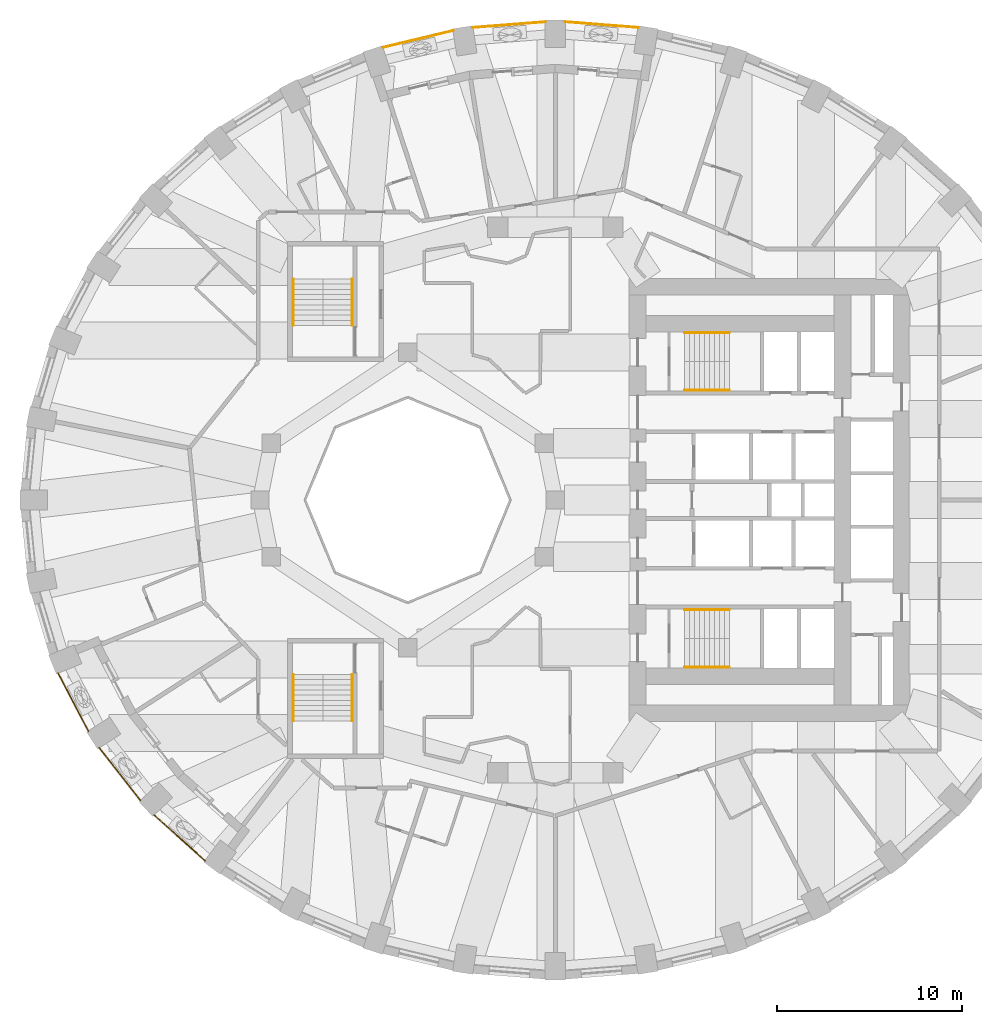
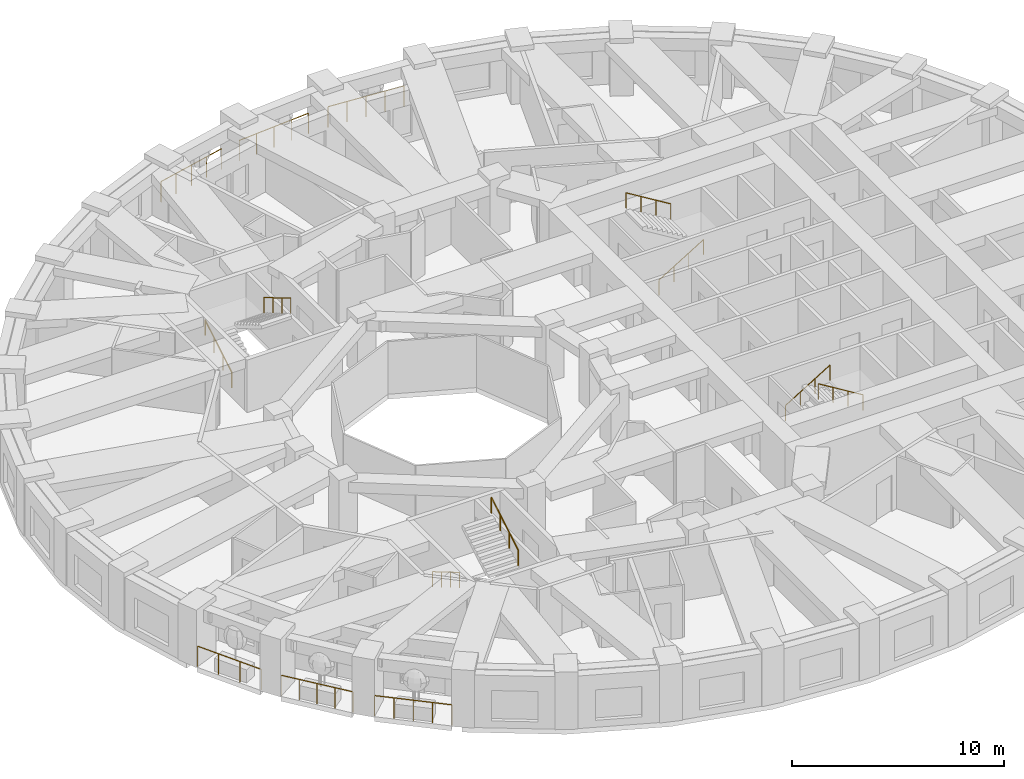
# One storey, part 11 of 13: 14 railings.
"""IFC4 building model written with IfcOpenShell, lengths in metres."""

from ifc_helpers import new_model, si_unit, direction, frame, origin, origin_2d, place, context, subcontext, project, spatial, circle, extrude, material, type_object, element, save


model = new_model("IFC4")

# Units and contexts
model_context = context("Model", 3, precision=1e-05, world=origin(), true_north=direction((0.0, 1.0)))
body_context = subcontext(model_context, "Body", "Model", "MODEL_VIEW")
ifc_project = project(units=[si_unit("LENGTHUNIT", "METRE"), si_unit("AREAUNIT", "SQUARE_METRE"), si_unit("VOLUMEUNIT", "CUBIC_METRE"), si_unit("PLANEANGLEUNIT", "RADIAN"), si_unit("MASSUNIT", "GRAM", prefix="KILO")], contexts=[model_context])

# Site, building, storey
site_placement = place(None, origin())
site = spatial("IfcSite", under=ifc_project, at=site_placement, CompositionType="ELEMENT")
building_placement = place(site_placement, origin())
building = spatial("IfcBuilding", under=site, at=building_placement, Name="Taillehof Tower", CompositionType="ELEMENT")
storey_placement = place(building_placement, frame((0.0, 0.0, 51.39990234375)))
storey = spatial("IfcBuildingStorey", under=building, at=storey_placement, Name="L13", CompositionType="ELEMENT", Elevation=51.39990234375)

# Railings
ifc_material_1 = material(Name="Stainless steel balustrade", Category="steel")
railing_type_1 = type_object("IfcRailingType", Name="Balcony guard 1200", PredefinedType="GUARDRAIL", material=ifc_material_1)
railing_1_placement = place(storey_placement, frame((4.483154296875, 25.589111328125, 0.0)))
element("IfcRailing", 1, at=railing_1_placement, inside=storey, type_object=railing_type_1, Name="Balcony guard L13 bay 9", PredefinedType="GUARDRAIL", context=body_context, shape_type="SweptSolid", body=[
    extrude(circle(Radius=0.02392578125, at=origin_2d()), frame((0.0, 0.0, 1.17578125), z_axis=(-0.996952571778, 0.078010061045, 0.0), x_axis=(-0.078010061045, -0.996952571778, 0.0)), (0.0, 0.0, 1.0), 3.965087890625),
    extrude(circle(Radius=0.02099609375, at=origin_2d()), origin(), (0.0, 0.0, 1.0), 1.15185546875),
    extrude(circle(Radius=0.02099609375, at=origin_2d()), frame((-0.98828125, 0.077392578125, 0.0)), (0.0, 0.0, 1.0), 1.15185546875),
    extrude(circle(Radius=0.02099609375, at=origin_2d()), frame((-1.9765625, 0.15478515625, 0.0)), (0.0, 0.0, 1.0), 1.15185546875),
    extrude(circle(Radius=0.02099609375, at=origin_2d()), frame((-2.96484375, 0.23193359375, 0.0)), (0.0, 0.0, 1.0), 1.15185546875),
    extrude(circle(Radius=0.02099609375, at=origin_2d()), frame((-3.953125, 0.309326171875, 0.0)), (0.0, 0.0, 1.0), 1.15185546875),
])
railing_2_placement = place(storey_placement, frame((-0.530029296875, 25.8984375, 0.0)))
element("IfcRailing", 2, at=railing_2_placement, inside=storey, type_object=railing_type_1, Name="Balcony guard L13 bay 10", PredefinedType="GUARDRAIL", context=body_context, shape_type="SweptSolid", body=[
    extrude(circle(Radius=0.02392578125, at=origin_2d()), frame((0.0, 0.0, 1.17578125), z_axis=(-0.996952571778, -0.078010061045, 0.0), x_axis=(0.078010061045, -0.996952571778, 0.0)), (0.0, 0.0, 1.0), 3.965087890625),
    extrude(circle(Radius=0.02099609375, at=origin_2d()), origin(), (0.0, 0.0, 1.0), 1.15185546875),
    extrude(circle(Radius=0.02099609375, at=origin_2d()), frame((-0.98828125, -0.077392578125, 0.0)), (0.0, 0.0, 1.0), 1.15185546875),
    extrude(circle(Radius=0.02099609375, at=origin_2d()), frame((-1.9765625, -0.15478515625, 0.0)), (0.0, 0.0, 1.0), 1.15185546875),
    extrude(circle(Radius=0.02099609375, at=origin_2d()), frame((-2.96484375, -0.23193359375, 0.0)), (0.0, 0.0, 1.0), 1.15185546875),
    extrude(circle(Radius=0.02099609375, at=origin_2d()), frame((-3.953125, -0.309326171875, 0.0)), (0.0, 0.0, 1.0), 1.15185546875),
])
railing_3_placement = place(storey_placement, frame((-5.5302734375, 25.423828125, 0.0)))
element("IfcRailing", 3, at=railing_3_placement, inside=storey, type_object=railing_type_1, Name="Balcony guard L13 bay 11", PredefinedType="GUARDRAIL", context=body_context, shape_type="SweptSolid", body=[
    extrude(circle(Radius=0.02392578125, at=origin_2d()), frame((0.0, 0.0, 1.17578125), z_axis=(-0.972495275648, -0.232922602687, 0.0), x_axis=(0.232922602687, -0.972495275648, 0.0)), (0.0, 0.0, 1.0), 3.93701171875),
    extrude(circle(Radius=0.02099609375, at=origin_2d()), origin(), (0.0, 0.0, 1.0), 1.15185546875),
    extrude(circle(Radius=0.02099609375, at=origin_2d()), frame((-0.95703125, -0.229248046875, 0.0)), (0.0, 0.0, 1.0), 1.15185546875),
    extrude(circle(Radius=0.02099609375, at=origin_2d()), frame((-1.914306640625, -0.45849609375, 0.0)), (0.0, 0.0, 1.0), 1.15185546875),
    extrude(circle(Radius=0.02099609375, at=origin_2d()), frame((-2.87158203125, -0.687744140625, 0.0)), (0.0, 0.0, 1.0), 1.15185546875),
    extrude(circle(Radius=0.02099609375, at=origin_2d()), frame((-3.82861328125, -0.9169921875, 0.0)), (0.0, 0.0, 1.0), 1.15185546875),
])
railing_4_placement = place(storey_placement, frame((-26.939208984375, -9.36767578125, 0.0)))
element("IfcRailing", 4, at=railing_4_placement, inside=storey, type_object=railing_type_1, Name="Balcony guard L13 bay 21", PredefinedType="GUARDRAIL", context=body_context, shape_type="SweptSolid", body=[
    extrude(circle(Radius=0.02392578125, at=origin_2d()), frame((0.0, 0.0, 1.17578125), z_axis=(0.462523854419, -0.886606837382, 0.0), x_axis=(0.886606837382, 0.462523854419, 0.0)), (0.0, 0.0, 1.0), 3.56298828125),
    extrude(circle(Radius=0.02099609375, at=origin_2d()), origin(), (0.0, 0.0, 1.0), 1.15185546875),
    extrude(circle(Radius=0.02099609375, at=origin_2d()), frame((0.54931640625, -1.052978515625, 0.0)), (0.0, 0.0, 1.0), 1.15185546875),
    extrude(circle(Radius=0.02099609375, at=origin_2d()), frame((1.0986328125, -2.10595703125, 0.0)), (0.0, 0.0, 1.0), 1.15185546875),
    extrude(circle(Radius=0.02099609375, at=origin_2d()), frame((1.64794921875, -3.158935546875, 0.0)), (0.0, 0.0, 1.0), 1.15185546875),
])
railing_5_placement = place(storey_placement, frame((-24.716796875, -13.41748046875, 0.0)))
element("IfcRailing", 5, at=railing_5_placement, inside=storey, type_object=railing_type_1, Name="Balcony guard L13 bay 22", PredefinedType="GUARDRAIL", context=body_context, shape_type="SweptSolid", body=[
    extrude(circle(Radius=0.02392578125, at=origin_2d()), frame((0.0, 0.0, 1.17578125), z_axis=(0.616653661131, -0.787234566196, 0.0), x_axis=(0.787234566196, 0.616653661131, 0.0)), (0.0, 0.0, 1.0), 3.6396484375),
    extrude(circle(Radius=0.02099609375, at=origin_2d()), origin(), (0.0, 0.0, 1.0), 1.15185546875),
    extrude(circle(Radius=0.02099609375, at=origin_2d()), frame((0.56103515625, -0.71630859375, 0.0)), (0.0, 0.0, 1.0), 1.15185546875),
    extrude(circle(Radius=0.02099609375, at=origin_2d()), frame((1.1220703125, -1.4326171875, 0.0)), (0.0, 0.0, 1.0), 1.15185546875),
    extrude(circle(Radius=0.02099609375, at=origin_2d()), frame((1.683349609375, -2.14892578125, 0.0)), (0.0, 0.0, 1.0), 1.15185546875),
    extrude(circle(Radius=0.02099609375, at=origin_2d()), frame((2.244384765625, -2.865234375, 0.0)), (0.0, 0.0, 1.0), 1.15185546875),
])
railing_6_placement = place(storey_placement, frame((-21.74755859375, -17.056396484375, 0.0)))
element("IfcRailing", 6, at=railing_6_placement, inside=storey, type_object=railing_type_1, Name="Balcony guard L13 bay 23", PredefinedType="GUARDRAIL", context=body_context, shape_type="SweptSolid", body=[
    extrude(circle(Radius=0.02392578125, at=origin_2d()), frame((0.0, 0.0, 1.17578125), z_axis=(0.745548021299, -0.666451909696, 0.0), x_axis=(0.666451909696, 0.745548021299, 0.0)), (0.0, 0.0, 1.0), 3.7255859375),
    extrude(circle(Radius=0.02099609375, at=origin_2d()), origin(), (0.0, 0.0, 1.0), 1.15185546875),
    extrude(circle(Radius=0.02099609375, at=origin_2d()), frame((0.6943359375, -0.62060546875, 0.0)), (0.0, 0.0, 1.0), 1.15185546875),
    extrude(circle(Radius=0.02099609375, at=origin_2d()), frame((1.388671875, -1.241455078125, 0.0)), (0.0, 0.0, 1.0), 1.15185546875),
    extrude(circle(Radius=0.02099609375, at=origin_2d()), frame((2.083251953125, -1.8623046875, 0.0)), (0.0, 0.0, 1.0), 1.15185546875),
    extrude(circle(Radius=0.02099609375, at=origin_2d()), frame((2.777587890625, -2.48291015625, 0.0)), (0.0, 0.0, 1.0), 1.15185546875),
])
ifc_material_2 = material(Name="Stainless steel", Category="steel")
railing_type_2 = type_object("IfcRailingType", Name="Stair handrail 900", PredefinedType="HANDRAIL", material=ifc_material_2)
railing_7_placement = place(storey_placement, frame((7.0, 5.949951171875, 0.1650390625)))
element("IfcRailing", 7, at=railing_7_placement, inside=storey, type_object=railing_type_2, Name="Stair S1 handrail", PredefinedType="HANDRAIL", context=body_context, shape_type="SweptSolid", body=[
    extrude(circle(Radius=0.02392578125, at=origin_2d()), frame((0.0, 0.0, 0.8759765625), z_axis=(0.853258522278, 0.0, 0.521488153423), x_axis=(0.0, 1.0, 0.0)), (0.0, 0.0, 1.0), 2.847900390625),
    extrude(circle(Radius=0.02099609375, at=origin_2d()), origin(), (0.0, 0.0, 1.0), 0.851806640625),
    extrude(circle(Radius=0.02099609375, at=origin_2d()), frame((0.81005859375, 0.0, 0.4951171875)), (0.0, 0.0, 1.0), 0.851806640625),
    extrude(circle(Radius=0.02099609375, at=origin_2d()), frame((1.619873046875, 0.0, 0.989990234375)), (0.0, 0.0, 1.0), 0.851806640625),
    extrude(circle(Radius=0.02099609375, at=origin_2d()), frame((2.429931640625, 0.0, 1.485107421875)), (0.0, 0.0, 1.0), 0.851806640625),
])
railing_8_placement = place(storey_placement, frame((9.429931640625, 9.050048828125, 1.815185546875)))
element("IfcRailing", 8, at=railing_8_placement, inside=storey, type_object=railing_type_2, Name="Stair S1 handrail", PredefinedType="HANDRAIL", context=body_context, shape_type="SweptSolid", body=[
    extrude(circle(Radius=0.02392578125, at=origin_2d()), frame((0.0, 0.0, 0.8759765625), z_axis=(-0.853296667938, 0.0, 0.521425734392), x_axis=(0.0, -1.0, 0.0)), (0.0, 0.0, 1.0), 2.84765625),
    extrude(circle(Radius=0.02099609375, at=origin_2d()), origin(), (0.0, 0.0, 1.0), 0.851806640625),
    extrude(circle(Radius=0.02099609375, at=origin_2d()), frame((-0.81005859375, 0.0, 0.494873046875)), (0.0, 0.0, 1.0), 0.851806640625),
    extrude(circle(Radius=0.02099609375, at=origin_2d()), frame((-1.619873046875, 0.0, 0.989990234375)), (0.0, 0.0, 1.0), 0.851806640625),
    extrude(circle(Radius=0.02099609375, at=origin_2d()), frame((-2.429931640625, 0.0, 1.48486328125)), (0.0, 0.0, 1.0), 0.851806640625),
])
railing_9_placement = place(storey_placement, frame((7.0, -5.949951171875, 0.1650390625)))
element("IfcRailing", 9, at=railing_9_placement, inside=storey, type_object=railing_type_2, Name="Stair S2 handrail", PredefinedType="HANDRAIL", context=body_context, shape_type="SweptSolid", body=[
    extrude(circle(Radius=0.02392578125, at=origin_2d()), frame((0.0, 0.0, 0.8759765625), z_axis=(0.853258522278, 0.0, 0.521488153423), x_axis=(0.0, 1.0, 0.0)), (0.0, 0.0, 1.0), 2.847900390625),
    extrude(circle(Radius=0.02099609375, at=origin_2d()), origin(), (0.0, 0.0, 1.0), 0.851806640625),
    extrude(circle(Radius=0.02099609375, at=origin_2d()), frame((0.81005859375, 0.0, 0.4951171875)), (0.0, 0.0, 1.0), 0.851806640625),
    extrude(circle(Radius=0.02099609375, at=origin_2d()), frame((1.619873046875, 0.0, 0.989990234375)), (0.0, 0.0, 1.0), 0.851806640625),
    extrude(circle(Radius=0.02099609375, at=origin_2d()), frame((2.429931640625, 0.0, 1.485107421875)), (0.0, 0.0, 1.0), 0.851806640625),
])
railing_10_placement = place(storey_placement, frame((9.429931640625, -9.050048828125, 1.815185546875)))
element("IfcRailing", 10, at=railing_10_placement, inside=storey, type_object=railing_type_2, Name="Stair S2 handrail", PredefinedType="HANDRAIL", context=body_context, shape_type="SweptSolid", body=[
    extrude(circle(Radius=0.02392578125, at=origin_2d()), frame((0.0, 0.0, 0.8759765625), z_axis=(-0.853296667938, 0.0, 0.521425734392), x_axis=(0.0, -1.0, 0.0)), (0.0, 0.0, 1.0), 2.84765625),
    extrude(circle(Radius=0.02099609375, at=origin_2d()), origin(), (0.0, 0.0, 1.0), 0.851806640625),
    extrude(circle(Radius=0.02099609375, at=origin_2d()), frame((-0.81005859375, 0.0, 0.494873046875)), (0.0, 0.0, 1.0), 0.851806640625),
    extrude(circle(Radius=0.02099609375, at=origin_2d()), frame((-1.619873046875, 0.0, 0.989990234375)), (0.0, 0.0, 1.0), 0.851806640625),
    extrude(circle(Radius=0.02099609375, at=origin_2d()), frame((-2.429931640625, 0.0, 1.48486328125)), (0.0, 0.0, 1.0), 0.851806640625),
])
railing_11_placement = place(storey_placement, frame((-14.199951171875, 9.449951171875, 0.1650390625)))
element("IfcRailing", 11, at=railing_11_placement, inside=storey, type_object=railing_type_2, Name="Stair S3 handrail", PredefinedType="HANDRAIL", context=body_context, shape_type="SweptSolid", body=[
    extrude(circle(Radius=0.02392578125, at=origin_2d()), frame((0.0, 0.0, 0.8759765625), z_axis=(0.0, 0.86152411907, 0.507716645641), x_axis=(-1.0, 0.0, 0.0)), (0.0, 0.0, 1.0), 2.925048828125),
    extrude(circle(Radius=0.02099609375, at=origin_2d()), origin(), (0.0, 0.0, 1.0), 0.851806640625),
    extrude(circle(Radius=0.02099609375, at=origin_2d()), frame((0.0, 0.840087890625, 0.4951171875)), (0.0, 0.0, 1.0), 0.851806640625),
    extrude(circle(Radius=0.02099609375, at=origin_2d()), frame((0.0, 1.679931640625, 0.989990234375)), (0.0, 0.0, 1.0), 0.851806640625),
    extrude(circle(Radius=0.02099609375, at=origin_2d()), frame((0.0, 2.52001953125, 1.485107421875)), (0.0, 0.0, 1.0), 0.851806640625),
])
railing_12_placement = place(storey_placement, frame((-11.0, 11.969970703125, 1.815185546875)))
element("IfcRailing", 12, at=railing_12_placement, inside=storey, type_object=railing_type_2, Name="Stair S3 handrail", PredefinedType="HANDRAIL", context=body_context, shape_type="SweptSolid", body=[
    extrude(circle(Radius=0.02392578125, at=origin_2d()), frame((0.0, 0.0, 0.8759765625), z_axis=(0.0, -0.861560626758, 0.507654692109), x_axis=(1.0, 0.0, 0.0)), (0.0, 0.0, 1.0), 2.925048828125),
    extrude(circle(Radius=0.02099609375, at=origin_2d()), origin(), (0.0, 0.0, 1.0), 0.851806640625),
    extrude(circle(Radius=0.02099609375, at=origin_2d()), frame((0.0, -0.840087890625, 0.494873046875)), (0.0, 0.0, 1.0), 0.851806640625),
    extrude(circle(Radius=0.02099609375, at=origin_2d()), frame((0.0, -1.679931640625, 0.989990234375)), (0.0, 0.0, 1.0), 0.851806640625),
    extrude(circle(Radius=0.02099609375, at=origin_2d()), frame((0.0, -2.52001953125, 1.48486328125)), (0.0, 0.0, 1.0), 0.851806640625),
])
railing_13_placement = place(storey_placement, frame((-14.199951171875, -9.449951171875, 0.1650390625)))
element("IfcRailing", 13, at=railing_13_placement, inside=storey, type_object=railing_type_2, Name="Stair S4 handrail", PredefinedType="HANDRAIL", context=body_context, shape_type="SweptSolid", body=[
    extrude(circle(Radius=0.02392578125, at=origin_2d()), frame((0.0, 0.0, 0.8759765625), z_axis=(0.0, -0.86152411907, 0.507716645641), x_axis=(1.0, 0.0, 0.0)), (0.0, 0.0, 1.0), 2.925048828125),
    extrude(circle(Radius=0.02099609375, at=origin_2d()), origin(), (0.0, 0.0, 1.0), 0.851806640625),
    extrude(circle(Radius=0.02099609375, at=origin_2d()), frame((0.0, -0.840087890625, 0.4951171875)), (0.0, 0.0, 1.0), 0.851806640625),
    extrude(circle(Radius=0.02099609375, at=origin_2d()), frame((0.0, -1.679931640625, 0.989990234375)), (0.0, 0.0, 1.0), 0.851806640625),
    extrude(circle(Radius=0.02099609375, at=origin_2d()), frame((0.0, -2.52001953125, 1.485107421875)), (0.0, 0.0, 1.0), 0.851806640625),
])
railing_14_placement = place(storey_placement, frame((-11.0, -11.969970703125, 1.815185546875)))
element("IfcRailing", 14, at=railing_14_placement, inside=storey, type_object=railing_type_2, Name="Stair S4 handrail", PredefinedType="HANDRAIL", context=body_context, shape_type="SweptSolid", body=[
    extrude(circle(Radius=0.02392578125, at=origin_2d()), frame((0.0, 0.0, 0.8759765625), z_axis=(0.0, 0.861560626758, 0.507654692109), x_axis=(-1.0, 0.0, 0.0)), (0.0, 0.0, 1.0), 2.925048828125),
    extrude(circle(Radius=0.02099609375, at=origin_2d()), origin(), (0.0, 0.0, 1.0), 0.851806640625),
    extrude(circle(Radius=0.02099609375, at=origin_2d()), frame((0.0, 0.840087890625, 0.494873046875)), (0.0, 0.0, 1.0), 0.851806640625),
    extrude(circle(Radius=0.02099609375, at=origin_2d()), frame((0.0, 1.679931640625, 0.989990234375)), (0.0, 0.0, 1.0), 0.851806640625),
    extrude(circle(Radius=0.02099609375, at=origin_2d()), frame((0.0, 2.52001953125, 1.48486328125)), (0.0, 0.0, 1.0), 0.851806640625),
])

save(model, "model.ifc")
